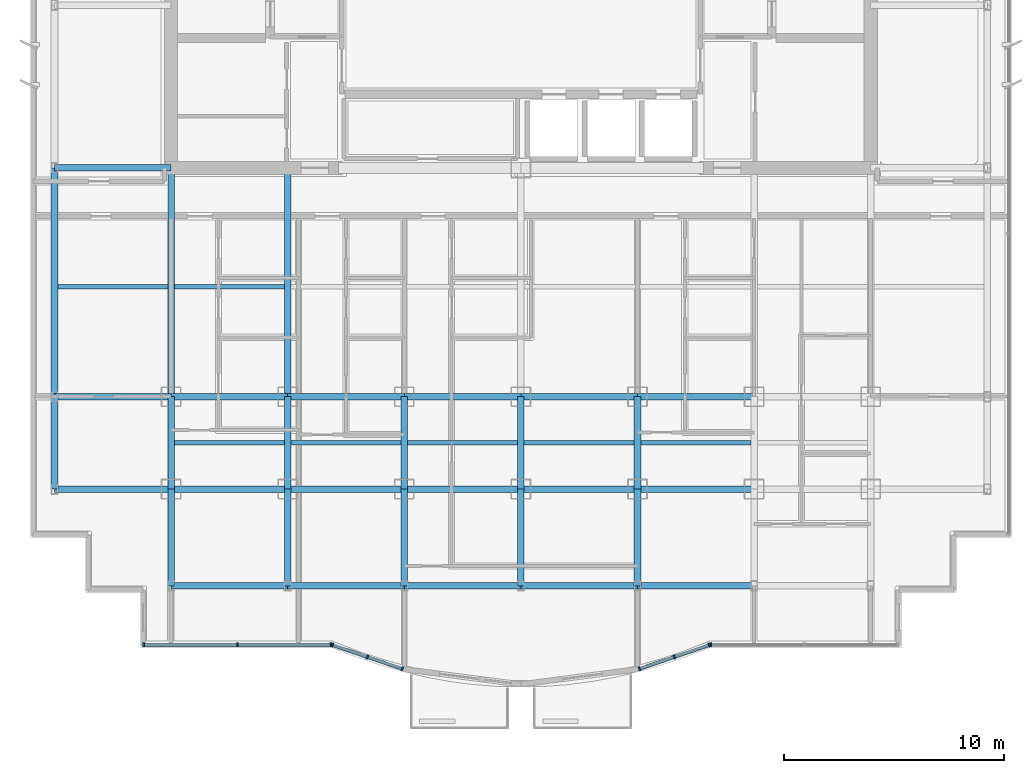
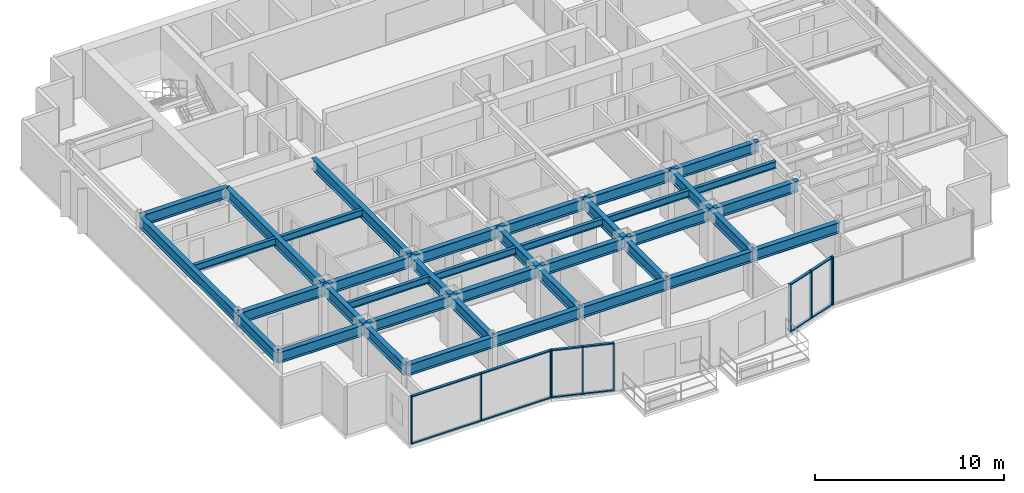
# One storey, part 2 of 13: 39 beams, 22 members, 4 elements without a shape of their own.
"""IFC4 building model written with IfcOpenShell, lengths in metres."""

from ifc_helpers import new_model, si_unit, direction, frame, origin, origin_2d, place, context, subcontext, project, spatial, rectangle, i_section, extrude, source, transform, mapped, material, layer, layer_set, material_profile, profile_set, type_object, element, aggregate, save


model = new_model("IFC4")

# Units and contexts
model_context = context("Model", 3, precision=1e-05, world=origin(), true_north=direction((0.0, 1.0)))
body_context = subcontext(model_context, "Body", "Model", "MODEL_VIEW")
ifc_project = project(units=[si_unit("LENGTHUNIT", "METRE"), si_unit("AREAUNIT", "SQUARE_METRE"), si_unit("VOLUMEUNIT", "CUBIC_METRE"), si_unit("PLANEANGLEUNIT", "RADIAN"), si_unit("MASSUNIT", "GRAM", prefix="KILO")], contexts=[model_context])

# Site, building, storey
site_placement = place(None, origin())
site = spatial("IfcSite", under=ifc_project, at=site_placement, CompositionType="ELEMENT")
building_placement = place(site_placement, origin())
building = spatial("IfcBuilding", under=site, at=building_placement, Name="Qianlan Lanfeng Residences", CompositionType="ELEMENT")
storey_placement = place(building_placement, frame((0.0, 0.0, 142.5)))
storey = spatial("IfcBuildingStorey", under=building, at=storey_placement, Name="L38", CompositionType="ELEMENT", Elevation=142.5)

# Beams
ifc_material_1 = material(Name="Steel SN490B", Category="steel")
ifc_material_profile_1 = material_profile(ifc_material_1, i_section(OverallWidth=0.300048828125, OverallDepth=0.699951171875, WebThickness=0.012939453125, FlangeThickness=0.02392578125, at=origin_2d()), Name="H 700x300x13x24")
ifc_profile_set_1 = profile_set([ifc_material_profile_1], Name="Steel SN490B")
beam_type_1 = type_object("IfcBeamType", Name="G-750", PredefinedType="BEAM", material=ifc_profile_set_1)
beam_1_placement = place(storey_placement, frame((5.300048828125, 10.60009765625, 2.75), z_axis=(1.0, 0.0, 0.0), x_axis=(0.0, 1.0, 0.0)))
element("IfcBeam", 1, at=beam_1_placement, inside=storey, type_object=beam_type_1, Name="Structural beam G-750", PredefinedType="BEAM", context=body_context, shape_type="SweptSolid", body=[
    extrude(i_section(OverallWidth=0.300048828125, OverallDepth=0.699951171875, WebThickness=0.012939453125, FlangeThickness=0.02392578125, at=origin_2d()), origin(), (0.0, 0.0, 1.0), 5.300048828125),
])
beam_2_placement = place(storey_placement, frame((10.60009765625, 10.60009765625, 2.75), z_axis=(1.0, 0.0, 0.0), x_axis=(0.0, 1.0, 0.0)))
element("IfcBeam", 2, at=beam_2_placement, inside=storey, type_object=beam_type_1, Name="Structural beam G-750", PredefinedType="BEAM", context=body_context, shape_type="SweptSolid", body=[
    extrude(i_section(OverallWidth=0.300048828125, OverallDepth=0.699951171875, WebThickness=0.012939453125, FlangeThickness=0.02392578125, at=origin_2d()), origin(), (0.0, 0.0, 1.0), 5.2998046875),
])
for number, where, z_axis, x_axis, name in (
    (3, (15.89990234375, 10.60009765625, 2.75), (1.0, 0.0, 0.0), (0.0, 1.0, 0.0), "Structural beam G-750"),
    (4, (21.199951171875, 10.60009765625, 2.75), (1.0, 0.0, 0.0), (0.0, 1.0, 0.0), "Structural beam G-750"),
    (5, (26.5, 10.60009765625, 2.75), (1.0, 0.0, 0.0), (0.0, 1.0, 0.0), "Structural beam G-750"),
    (6, (31.800048828125, 10.60009765625, 2.75), (1.0, 0.0, 0.0), (0.0, 1.0, 0.0), "Structural beam G-750"),
    (7, (5.300048828125, 14.800048828125, 2.75), (1.0, 0.0, 0.0), (0.0, 1.0, 0.0), "Structural beam G-750"),
):
    element("IfcBeam", number, at=place(storey_placement, frame(where, z_axis=z_axis, x_axis=x_axis)), inside=storey, type_object=beam_type_1, Name=name, PredefinedType="BEAM", context=body_context, shape_type="SweptSolid", body=[
        extrude(i_section(OverallWidth=0.300048828125, OverallDepth=0.699951171875, WebThickness=0.012939453125, FlangeThickness=0.02392578125, at=origin_2d()), origin(), (0.0, 0.0, 1.0), 5.300048828125),
    ])
beam_3_placement = place(storey_placement, frame((10.60009765625, 14.800048828125, 2.75), z_axis=(1.0, 0.0, 0.0), x_axis=(0.0, 1.0, 0.0)))
element("IfcBeam", 8, at=beam_3_placement, inside=storey, type_object=beam_type_1, Name="Structural beam G-750", PredefinedType="BEAM", context=body_context, shape_type="SweptSolid", body=[
    extrude(i_section(OverallWidth=0.300048828125, OverallDepth=0.699951171875, WebThickness=0.012939453125, FlangeThickness=0.02392578125, at=origin_2d()), origin(), (0.0, 0.0, 1.0), 5.2998046875),
])
for number, where, z_axis, x_axis, name in (
    (9, (15.89990234375, 14.800048828125, 2.75), (1.0, 0.0, 0.0), (0.0, 1.0, 0.0), "Structural beam G-750"),
    (10, (21.199951171875, 14.800048828125, 2.75), (1.0, 0.0, 0.0), (0.0, 1.0, 0.0), "Structural beam G-750"),
    (11, (26.5, 14.800048828125, 2.75), (1.0, 0.0, 0.0), (0.0, 1.0, 0.0), "Structural beam G-750"),
    (12, (31.800048828125, 14.800048828125, 2.75), (1.0, 0.0, 0.0), (0.0, 1.0, 0.0), "Structural beam G-750"),
    (13, (5.300048828125, 25.199951171875, 2.75), (1.0, 0.0, 0.0), (0.0, 1.0, 0.0), "Structural beam G-750"),
):
    element("IfcBeam", number, at=place(storey_placement, frame(where, z_axis=z_axis, x_axis=x_axis)), inside=storey, type_object=beam_type_1, Name=name, PredefinedType="BEAM", context=body_context, shape_type="SweptSolid", body=[
        extrude(i_section(OverallWidth=0.300048828125, OverallDepth=0.699951171875, WebThickness=0.012939453125, FlangeThickness=0.02392578125, at=origin_2d()), origin(), (0.0, 0.0, 1.0), 5.300048828125),
    ])
beam_4_placement = place(storey_placement, frame((10.60009765625, 6.199951171875, 2.75), z_axis=(0.0, 1.0, 0.0), x_axis=(-1.0, 0.0, 0.0)))
element("IfcBeam", 14, at=beam_4_placement, inside=storey, type_object=beam_type_1, Name="Structural beam G-750", PredefinedType="BEAM", context=body_context, shape_type="SweptSolid", body=[
    extrude(i_section(OverallWidth=0.300048828125, OverallDepth=0.699951171875, WebThickness=0.012939453125, FlangeThickness=0.02392578125, at=origin_2d()), origin(), (0.0, 0.0, 1.0), 4.400146484375),
])
beam_5_placement = place(storey_placement, frame((10.60009765625, 10.60009765625, 2.75), z_axis=(0.0, 1.0, 0.0), x_axis=(-1.0, 0.0, 0.0)))
element("IfcBeam", 15, at=beam_5_placement, inside=storey, type_object=beam_type_1, Name="Structural beam G-750", PredefinedType="BEAM", context=body_context, shape_type="SweptSolid", body=[
    extrude(i_section(OverallWidth=0.300048828125, OverallDepth=0.699951171875, WebThickness=0.012939453125, FlangeThickness=0.02392578125, at=origin_2d()), origin(), (0.0, 0.0, 1.0), 4.199951171875),
])
beam_6_placement = place(storey_placement, frame((10.60009765625, 14.800048828125, 2.75), z_axis=(0.0, 1.0, 0.0), x_axis=(-1.0, 0.0, 0.0)))
element("IfcBeam", 16, at=beam_6_placement, inside=storey, type_object=beam_type_1, Name="Structural beam G-750", PredefinedType="BEAM", context=body_context, shape_type="SweptSolid", body=[
    extrude(i_section(OverallWidth=0.300048828125, OverallDepth=0.699951171875, WebThickness=0.012939453125, FlangeThickness=0.02392578125, at=origin_2d()), origin(), (0.0, 0.0, 1.0), 10.39990234375),
])
beam_7_placement = place(storey_placement, frame((15.89990234375, 6.199951171875, 2.75), z_axis=(0.0, 1.0, 0.0), x_axis=(-1.0, 0.0, 0.0)))
element("IfcBeam", 17, at=beam_7_placement, inside=storey, type_object=beam_type_1, Name="Structural beam G-750", PredefinedType="BEAM", context=body_context, shape_type="SweptSolid", body=[
    extrude(i_section(OverallWidth=0.300048828125, OverallDepth=0.699951171875, WebThickness=0.012939453125, FlangeThickness=0.02392578125, at=origin_2d()), origin(), (0.0, 0.0, 1.0), 4.400146484375),
])
beam_8_placement = place(storey_placement, frame((15.89990234375, 10.60009765625, 2.75), z_axis=(0.0, 1.0, 0.0), x_axis=(-1.0, 0.0, 0.0)))
element("IfcBeam", 18, at=beam_8_placement, inside=storey, type_object=beam_type_1, Name="Structural beam G-750", PredefinedType="BEAM", context=body_context, shape_type="SweptSolid", body=[
    extrude(i_section(OverallWidth=0.300048828125, OverallDepth=0.699951171875, WebThickness=0.012939453125, FlangeThickness=0.02392578125, at=origin_2d()), origin(), (0.0, 0.0, 1.0), 4.199951171875),
])
beam_9_placement = place(storey_placement, frame((15.89990234375, 14.800048828125, 2.75), z_axis=(0.0, 1.0, 0.0), x_axis=(-1.0, 0.0, 0.0)))
element("IfcBeam", 19, at=beam_9_placement, inside=storey, type_object=beam_type_1, Name="Structural beam G-750", PredefinedType="BEAM", context=body_context, shape_type="SweptSolid", body=[
    extrude(i_section(OverallWidth=0.300048828125, OverallDepth=0.699951171875, WebThickness=0.012939453125, FlangeThickness=0.02392578125, at=origin_2d()), origin(), (0.0, 0.0, 1.0), 10.39990234375),
])
beam_10_placement = place(storey_placement, frame((21.199951171875, 6.199951171875, 2.75), z_axis=(0.0, 1.0, 0.0), x_axis=(-1.0, 0.0, 0.0)))
element("IfcBeam", 20, at=beam_10_placement, inside=storey, type_object=beam_type_1, Name="Structural beam G-750", PredefinedType="BEAM", context=body_context, shape_type="SweptSolid", body=[
    extrude(i_section(OverallWidth=0.300048828125, OverallDepth=0.699951171875, WebThickness=0.012939453125, FlangeThickness=0.02392578125, at=origin_2d()), origin(), (0.0, 0.0, 1.0), 4.400146484375),
])
beam_11_placement = place(storey_placement, frame((21.199951171875, 10.60009765625, 2.75), z_axis=(0.0, 1.0, 0.0), x_axis=(-1.0, 0.0, 0.0)))
element("IfcBeam", 21, at=beam_11_placement, inside=storey, type_object=beam_type_1, Name="Structural beam G-750", PredefinedType="BEAM", context=body_context, shape_type="SweptSolid", body=[
    extrude(i_section(OverallWidth=0.300048828125, OverallDepth=0.699951171875, WebThickness=0.012939453125, FlangeThickness=0.02392578125, at=origin_2d()), origin(), (0.0, 0.0, 1.0), 4.199951171875),
])
beam_12_placement = place(storey_placement, frame((26.5, 6.199951171875, 2.75), z_axis=(0.0, 1.0, 0.0), x_axis=(-1.0, 0.0, 0.0)))
element("IfcBeam", 22, at=beam_12_placement, inside=storey, type_object=beam_type_1, Name="Structural beam G-750", PredefinedType="BEAM", context=body_context, shape_type="SweptSolid", body=[
    extrude(i_section(OverallWidth=0.300048828125, OverallDepth=0.699951171875, WebThickness=0.012939453125, FlangeThickness=0.02392578125, at=origin_2d()), origin(), (0.0, 0.0, 1.0), 4.400146484375),
])
beam_13_placement = place(storey_placement, frame((26.5, 10.60009765625, 2.75), z_axis=(0.0, 1.0, 0.0), x_axis=(-1.0, 0.0, 0.0)))
element("IfcBeam", 23, at=beam_13_placement, inside=storey, type_object=beam_type_1, Name="Structural beam G-750", PredefinedType="BEAM", context=body_context, shape_type="SweptSolid", body=[
    extrude(i_section(OverallWidth=0.300048828125, OverallDepth=0.699951171875, WebThickness=0.012939453125, FlangeThickness=0.02392578125, at=origin_2d()), origin(), (0.0, 0.0, 1.0), 4.199951171875),
])
beam_14_placement = place(storey_placement, frame((31.800048828125, 6.199951171875, 2.75), z_axis=(0.0, 1.0, 0.0), x_axis=(-1.0, 0.0, 0.0)))
element("IfcBeam", 24, at=beam_14_placement, inside=storey, type_object=beam_type_1, Name="Structural beam G-750", PredefinedType="BEAM", context=body_context, shape_type="SweptSolid", body=[
    extrude(i_section(OverallWidth=0.300048828125, OverallDepth=0.699951171875, WebThickness=0.012939453125, FlangeThickness=0.02392578125, at=origin_2d()), origin(), (0.0, 0.0, 1.0), 4.400146484375),
])
beam_15_placement = place(storey_placement, frame((31.800048828125, 10.60009765625, 2.75), z_axis=(0.0, 1.0, 0.0), x_axis=(-1.0, 0.0, 0.0)))
element("IfcBeam", 25, at=beam_15_placement, inside=storey, type_object=beam_type_1, Name="Structural beam G-750", PredefinedType="BEAM", context=body_context, shape_type="SweptSolid", body=[
    extrude(i_section(OverallWidth=0.300048828125, OverallDepth=0.699951171875, WebThickness=0.012939453125, FlangeThickness=0.02392578125, at=origin_2d()), origin(), (0.0, 0.0, 1.0), 4.199951171875),
])
ifc_material_profile_2 = material_profile(ifc_material_1, i_section(OverallWidth=0.199951171875, OverallDepth=0.449951171875, WebThickness=0.009033203125, FlangeThickness=0.013916015625, at=origin_2d()), Name="H 450x200x9x14")
ifc_profile_set_2 = profile_set([ifc_material_profile_2], Name="Steel SN490B")
beam_type_2 = type_object("IfcBeamType", Name="J-450", PredefinedType="JOIST", material=ifc_profile_set_2)
for number, where, z_axis, x_axis, name in (
    (26, (10.75, 12.699951171875, 2.875), (1.0, 0.0, 0.0), (0.0, 1.0, 0.0), "Structural beam J-450"),
    (27, (16.050048828125, 12.699951171875, 2.875), (1.0, 0.0, 0.0), (0.0, 1.0, 0.0), "Structural beam J-450"),
    (28, (21.35009765625, 12.699951171875, 2.875), (1.0, 0.0, 0.0), (0.0, 1.0, 0.0), "Structural beam J-450"),
    (29, (26.64990234375, 12.699951171875, 2.875), (1.0, 0.0, 0.0), (0.0, 1.0, 0.0), "Structural beam J-450"),
    (30, (31.949951171875, 12.699951171875, 2.875), (1.0, 0.0, 0.0), (0.0, 1.0, 0.0), "Structural beam J-450"),
    (31, (5.449951171875, 19.800048828125, 2.875), (1.0, 0.0, 0.0), (0.0, 1.0, 0.0), "Structural beam J-450"),
    (32, (10.75, 19.800048828125, 2.875), (1.0, 0.0, 0.0), (0.0, 1.0, 0.0), "Structural beam J-450"),
):
    element("IfcBeam", number, at=place(storey_placement, frame(where, z_axis=z_axis, x_axis=x_axis)), inside=storey, type_object=beam_type_2, Name=name, PredefinedType="JOIST", context=body_context, shape_type="SweptSolid", body=[
        extrude(i_section(OverallWidth=0.199951171875, OverallDepth=0.449951171875, WebThickness=0.009033203125, FlangeThickness=0.013916015625, at=origin_2d()), origin(), (0.0, 0.0, 1.0), 5.0),
    ])
ifc_material_profile_3 = material_profile(ifc_material_1, i_section(OverallWidth=0.300048828125, OverallDepth=0.699951171875, WebThickness=0.012939453125, FlangeThickness=0.02392578125, at=origin_2d()), Name="H 700x300x13x24")
ifc_profile_set_3 = profile_set([ifc_material_profile_3], Name="Steel SN490B")
beam_type_3 = type_object("IfcBeamType", Name="SG-750", PredefinedType="SPANDREL", material=ifc_profile_set_3)
beam_16_placement = place(storey_placement, frame((10.60009765625, 6.199951171875, 2.739990234375), z_axis=(1.0, 0.0, 0.0), x_axis=(0.0, 1.0, 0.0)))
element("IfcBeam", 33, at=beam_16_placement, inside=storey, type_object=beam_type_3, Name="Structural beam SG-750", PredefinedType="SPANDREL", context=body_context, shape_type="SweptSolid", body=[
    extrude(i_section(OverallWidth=0.300048828125, OverallDepth=0.699951171875, WebThickness=0.012939453125, FlangeThickness=0.02392578125, at=origin_2d()), origin(), (0.0, 0.0, 1.0), 5.2998046875),
])
for number, where, z_axis, x_axis, name in (
    (34, (15.89990234375, 6.199951171875, 2.739990234375), (1.0, 0.0, 0.0), (0.0, 1.0, 0.0), "Structural beam SG-750"),
    (35, (21.199951171875, 6.199951171875, 2.739990234375), (1.0, 0.0, 0.0), (0.0, 1.0, 0.0), "Structural beam SG-750"),
    (36, (26.5, 6.199951171875, 2.739990234375), (1.0, 0.0, 0.0), (0.0, 1.0, 0.0), "Structural beam SG-750"),
    (37, (31.800048828125, 6.199951171875, 2.739990234375), (1.0, 0.0, 0.0), (0.0, 1.0, 0.0), "Structural beam SG-750"),
):
    element("IfcBeam", number, at=place(storey_placement, frame(where, z_axis=z_axis, x_axis=x_axis)), inside=storey, type_object=beam_type_3, Name=name, PredefinedType="SPANDREL", context=body_context, shape_type="SweptSolid", body=[
        extrude(i_section(OverallWidth=0.300048828125, OverallDepth=0.699951171875, WebThickness=0.012939453125, FlangeThickness=0.02392578125, at=origin_2d()), origin(), (0.0, 0.0, 1.0), 5.300048828125),
    ])
beam_17_placement = place(storey_placement, frame((5.300048828125, 10.60009765625, 2.739990234375), z_axis=(0.0, 1.0, 0.0), x_axis=(-1.0, 0.0, 0.0)))
element("IfcBeam", 38, at=beam_17_placement, inside=storey, type_object=beam_type_3, Name="Structural beam SG-750", PredefinedType="SPANDREL", context=body_context, shape_type="SweptSolid", body=[
    extrude(i_section(OverallWidth=0.300048828125, OverallDepth=0.699951171875, WebThickness=0.012939453125, FlangeThickness=0.02392578125, at=origin_2d()), origin(), (0.0, 0.0, 1.0), 4.199951171875),
])
beam_18_placement = place(storey_placement, frame((5.300048828125, 14.800048828125, 2.739990234375), z_axis=(0.0, 1.0, 0.0), x_axis=(-1.0, 0.0, 0.0)))
element("IfcBeam", 39, at=beam_18_placement, inside=storey, type_object=beam_type_3, Name="Structural beam SG-750", PredefinedType="SPANDREL", context=body_context, shape_type="SweptSolid", body=[
    extrude(i_section(OverallWidth=0.300048828125, OverallDepth=0.699951171875, WebThickness=0.012939453125, FlangeThickness=0.02392578125, at=origin_2d()), origin(), (0.0, 0.0, 1.0), 10.39990234375),
])

# Curtain wall, members
ifc_material_2 = material(Name="Anodised Bronze Aluminium 6063-T6", Category="aluminium")
ifc_layer = layer(ifc_material_2, 0.219970703125)
ifc_layer_set = layer_set([ifc_layer], Name="Anodised Bronze Aluminium 6063-T6")
curtain_wall_type = type_object("IfcCurtainWallType", Name="CW-04", PredefinedType="NOTDEFINED", material=ifc_layer_set)
curtain_wall_1_placement = place(storey_placement, origin())
curtain_wall_1 = element("IfcCurtainWall", 40, at=curtain_wall_1_placement, inside=storey, type_object=curtain_wall_type, Name="L38 Unitised Curtain Wall CWR-L38-01 (CW-04)", PredefinedType="NOTDEFINED")
ifc_material_profile_4 = material_profile(ifc_material_2, rectangle(XDim=0.074951171875, YDim=0.14990234375, at=origin_2d()), Name="ALU TRANSOM 75x150")
ifc_profile_set_4 = profile_set([ifc_material_profile_4], Name="Anodised Bronze Aluminium 6063-T6")
member_type_1 = type_object("IfcMemberType", Name="CWT-150", PredefinedType="USERDEFINED", material=ifc_profile_set_4)
shared_shape_1 = source(origin(), body_context, "Body", "SweptSolid", [
    extrude(rectangle(XDim=0.074951171875, YDim=0.14990234375, at=origin_2d()), origin(), (0.0, 0.0, 1.0), 4.178955078125),
])
member_1_placement = place(storey_placement, frame((9.39501953125, 3.52001953125, 0.03759765625), z_axis=(1.0, 0.0, 0.0), x_axis=(0.0, 0.0, 1.0)))
member_1 = element("IfcMember", 41, at=member_1_placement, type_object=member_type_1, Name="CWR-L38-01 Transom 1-BOT", ObjectType="TRANSOM", PredefinedType="USERDEFINED", context=body_context, shape_type="MappedRepresentation", body=[
    mapped(shared_shape_1, transform((0.0, 0.0, 0.0), scale=1.0)),
])
member_2_placement = place(storey_placement, frame((9.39501953125, 3.52001953125, 3.0625), z_axis=(1.0, 0.0, 0.0), x_axis=(0.0, 0.0, 1.0)))
member_2 = element("IfcMember", 42, at=member_2_placement, type_object=member_type_1, Name="CWR-L38-01 Transom 1-TOP", ObjectType="TRANSOM", PredefinedType="USERDEFINED", context=body_context, shape_type="MappedRepresentation", body=[
    mapped(shared_shape_1, transform((0.0, 0.0, 0.0), scale=1.0)),
])
member_3_placement = place(storey_placement, frame((13.64892578125, 3.52001953125, 0.03759765625), z_axis=(1.0, 0.0, 0.0), x_axis=(0.0, 0.0, 1.0)))
member_3 = element("IfcMember", 43, at=member_3_placement, type_object=member_type_1, Name="CWR-L38-01 Transom 2-BOT", ObjectType="TRANSOM", PredefinedType="USERDEFINED", context=body_context, shape_type="MappedRepresentation", body=[
    mapped(shared_shape_1, transform((0.0, 0.0, 0.0), scale=1.0)),
])
member_4_placement = place(storey_placement, frame((13.64892578125, 3.52001953125, 3.0625), z_axis=(1.0, 0.0, 0.0), x_axis=(0.0, 0.0, 1.0)))
member_4 = element("IfcMember", 44, at=member_4_placement, type_object=member_type_1, Name="CWR-L38-01 Transom 2-TOP", ObjectType="TRANSOM", PredefinedType="USERDEFINED", context=body_context, shape_type="MappedRepresentation", body=[
    mapped(shared_shape_1, transform((0.0, 0.0, 0.0), scale=1.0)),
])

curtain_wall_2_placement = place(storey_placement, origin())
curtain_wall_2 = element("IfcCurtainWall", 45, at=curtain_wall_2_placement, inside=storey, type_object=curtain_wall_type, Name="L38 Unitised Curtain Wall CWR-L38-02 (CW-04)", PredefinedType="NOTDEFINED")
shared_shape_2 = source(origin(), body_context, "Body", "SweptSolid", [
    extrude(rectangle(XDim=0.074951171875, YDim=0.14990234375, at=origin_2d()), origin(), (0.0, 0.0, 1.0), 1.597900390625),
])
member_5_placement = place(storey_placement, frame((17.97412109375, 3.495849609375, 0.03759765625), z_axis=(0.946818368584, -0.321768514481, 0.0), x_axis=(0.0, 0.0, 1.0)))
member_5 = element("IfcMember", 46, at=member_5_placement, type_object=member_type_1, Name="CWR-L38-02 Transom 1-BOT", ObjectType="TRANSOM", PredefinedType="USERDEFINED", context=body_context, shape_type="MappedRepresentation", body=[
    mapped(shared_shape_2, transform((0.0, 0.0, 0.0), scale=1.0)),
])
member_6_placement = place(storey_placement, frame((17.97412109375, 3.495849609375, 3.0625), z_axis=(0.946818368584, -0.321768514481, 0.0), x_axis=(0.0, 0.0, 1.0)))
member_6 = element("IfcMember", 47, at=member_6_placement, type_object=member_type_1, Name="CWR-L38-02 Transom 1-TOP", ObjectType="TRANSOM", PredefinedType="USERDEFINED", context=body_context, shape_type="MappedRepresentation", body=[
    mapped(shared_shape_2, transform((0.0, 0.0, 0.0), scale=1.0)),
])
member_7_placement = place(storey_placement, frame((19.55810546875, 2.95751953125, 0.03759765625), z_axis=(0.94677181357, -0.321905472195, 0.0), x_axis=(0.0, 0.0, 1.0)))
member_7 = element("IfcMember", 48, at=member_7_placement, type_object=member_type_1, Name="CWR-L38-02 Transom 2-BOT", ObjectType="TRANSOM", PredefinedType="USERDEFINED", context=body_context, shape_type="MappedRepresentation", body=[
    mapped(shared_shape_2, transform((0.0, 0.0, 0.0), scale=1.0)),
])
member_8_placement = place(storey_placement, frame((19.55810546875, 2.95751953125, 3.0625), z_axis=(0.94677181357, -0.321905472195, 0.0), x_axis=(0.0, 0.0, 1.0)))
member_8 = element("IfcMember", 49, at=member_8_placement, type_object=member_type_1, Name="CWR-L38-02 Transom 2-TOP", ObjectType="TRANSOM", PredefinedType="USERDEFINED", context=body_context, shape_type="MappedRepresentation", body=[
    mapped(shared_shape_2, transform((0.0, 0.0, 0.0), scale=1.0)),
])

# Member
ifc_material_profile_5 = material_profile(ifc_material_2, rectangle(XDim=0.074951171875, YDim=0.179931640625, at=origin_2d()), Name="ALU MULLION 75x180")
ifc_profile_set_5 = profile_set([ifc_material_profile_5], Name="Anodised Bronze Aluminium 6063-T6")
member_type_2 = type_object("IfcMemberType", Name="CWM-180", PredefinedType="MULLION", material=ifc_profile_set_5)
shared_shape_3 = source(origin(), body_context, "Body", "SweptSolid", [
    extrude(rectangle(XDim=0.074951171875, YDim=0.179931640625, at=origin_2d()), origin(), (0.0, 0.0, 1.0), 3.10009765625),
])
member_9_placement = place(storey_placement, frame((9.357421875, 3.52001953125, 0.0), z_axis=(0.0, 0.0, 1.0), x_axis=(1.0, 0.0, 0.0)))
member_9 = element("IfcMember", 50, at=member_9_placement, type_object=member_type_2, Name="CWR-L38-01 Mullion 1", PredefinedType="MULLION", context=body_context, shape_type="MappedRepresentation", body=[
    mapped(shared_shape_3, transform((0.0, 0.0, 0.0), scale=1.0)),
])

member_10_placement = place(storey_placement, frame((13.611572265625, 3.52001953125, 0.0), z_axis=(0.0, 0.0, 1.0), x_axis=(1.0, 0.0, 0.0)))
member_10 = element("IfcMember", 51, at=member_10_placement, type_object=member_type_2, Name="CWR-L38-01 Mullion 2", PredefinedType="MULLION", context=body_context, shape_type="MappedRepresentation", body=[
    mapped(shared_shape_3, transform((0.0, 0.0, 0.0), scale=1.0)),
])

member_11_placement = place(storey_placement, frame((17.865478515625, 3.52001953125, 0.0), z_axis=(0.0, 0.0, 1.0), x_axis=(1.0, 0.0, 0.0)))
member_11 = element("IfcMember", 52, at=member_11_placement, type_object=member_type_2, Name="CWR-L38-01 Mullion 3", PredefinedType="MULLION", context=body_context, shape_type="MappedRepresentation", body=[
    mapped(shared_shape_3, transform((0.0, 0.0, 0.0), scale=1.0)),
])

aggregate(curtain_wall_1, [member_9, member_10, member_11, member_1, member_2, member_3, member_4])

member_12_placement = place(storey_placement, frame((17.9384765625, 3.5078125, 0.0), z_axis=(0.0, 0.0, 1.0), x_axis=(0.946795963885, -0.321834433787, 0.0)))
member_12 = element("IfcMember", 53, at=member_12_placement, type_object=member_type_2, Name="CWR-L38-02 Mullion 1", PredefinedType="MULLION", context=body_context, shape_type="MappedRepresentation", body=[
    mapped(shared_shape_3, transform((0.0, 0.0, 0.0), scale=1.0)),
])

member_13_placement = place(storey_placement, frame((19.5224609375, 2.969482421875, 0.0), z_axis=(0.0, 0.0, 1.0), x_axis=(0.946795963885, -0.321834433787, 0.0)))
member_13 = element("IfcMember", 54, at=member_13_placement, type_object=member_type_2, Name="CWR-L38-02 Mullion 2", PredefinedType="MULLION", context=body_context, shape_type="MappedRepresentation", body=[
    mapped(shared_shape_3, transform((0.0, 0.0, 0.0), scale=1.0)),
])

member_14_placement = place(storey_placement, frame((21.1064453125, 2.43115234375, 0.0), z_axis=(0.0, 0.0, 1.0), x_axis=(0.946795963885, -0.321834433787, 0.0)))
member_14 = element("IfcMember", 55, at=member_14_placement, type_object=member_type_2, Name="CWR-L38-02 Mullion 3", PredefinedType="MULLION", context=body_context, shape_type="MappedRepresentation", body=[
    mapped(shared_shape_3, transform((0.0, 0.0, 0.0), scale=1.0)),
])

aggregate(curtain_wall_2, [member_12, member_13, member_14, member_5, member_6, member_7, member_8])

# Curtain wall, members
curtain_wall_3_placement = place(storey_placement, origin())
curtain_wall_3 = element("IfcCurtainWall", 56, at=curtain_wall_3_placement, inside=storey, type_object=curtain_wall_type, Name="L38 Unitised Curtain Wall CWR-L38-03 (CW-04)", PredefinedType="NOTDEFINED")
member_15_placement = place(storey_placement, frame((31.892578125, 2.43115234375, 0.0), z_axis=(0.0, 0.0, 1.0), x_axis=(0.946826291861, 0.32174519894, 0.0)))
member_15 = element("IfcMember", 57, at=member_15_placement, type_object=member_type_2, Name="CWR-L38-03 Mullion 1", PredefinedType="MULLION", context=body_context, shape_type="MappedRepresentation", body=[
    mapped(shared_shape_3, transform((0.0, 0.0, 0.0), scale=1.0)),
])
member_16_placement = place(storey_placement, frame((33.47705078125, 2.969482421875, 0.0), z_axis=(0.0, 0.0, 1.0), x_axis=(0.946826291861, 0.32174519894, 0.0)))
member_16 = element("IfcMember", 58, at=member_16_placement, type_object=member_type_2, Name="CWR-L38-03 Mullion 2", PredefinedType="MULLION", context=body_context, shape_type="MappedRepresentation", body=[
    mapped(shared_shape_3, transform((0.0, 0.0, 0.0), scale=1.0)),
])
member_17_placement = place(storey_placement, frame((35.0615234375, 3.5078125, 0.0), z_axis=(0.0, 0.0, 1.0), x_axis=(0.946826291861, 0.32174519894, 0.0)))
member_17 = element("IfcMember", 59, at=member_17_placement, type_object=member_type_2, Name="CWR-L38-03 Mullion 3", PredefinedType="MULLION", context=body_context, shape_type="MappedRepresentation", body=[
    mapped(shared_shape_3, transform((0.0, 0.0, 0.0), scale=1.0)),
])

# Curtain wall, member
curtain_wall_4_placement = place(storey_placement, origin())
curtain_wall_4 = element("IfcCurtainWall", 60, at=curtain_wall_4_placement, inside=storey, type_object=curtain_wall_type, Name="L38 Unitised Curtain Wall CWR-L38-04 (CW-04)", PredefinedType="NOTDEFINED")
member_18_placement = place(storey_placement, frame((35.134521484375, 3.52001953125, 0.0), z_axis=(0.0, 0.0, 1.0), x_axis=(1.0, 0.0, 0.0)))
member_18 = element("IfcMember", 61, at=member_18_placement, type_object=member_type_2, Name="CWR-L38-04 Mullion 1", PredefinedType="MULLION", context=body_context, shape_type="MappedRepresentation", body=[
    mapped(shared_shape_3, transform((0.0, 0.0, 0.0), scale=1.0)),
])
aggregate(curtain_wall_4, [member_18])

# Member
shared_shape_4 = source(origin(), body_context, "Body", "SweptSolid", [
    extrude(rectangle(XDim=0.074951171875, YDim=0.14990234375, at=origin_2d()), origin(), (0.0, 0.0, 1.0), 1.598388671875),
])
member_19_placement = place(storey_placement, frame((31.927978515625, 2.443115234375, 0.03759765625), z_axis=(0.946803462724, 0.321812372312, 0.0), x_axis=(0.0, 0.0, 1.0)))
member_19 = element("IfcMember", 62, at=member_19_placement, type_object=member_type_1, Name="CWR-L38-03 Transom 1-BOT", ObjectType="TRANSOM", PredefinedType="USERDEFINED", context=body_context, shape_type="MappedRepresentation", body=[
    mapped(shared_shape_4, transform((0.0, 0.0, 0.0), scale=1.0)),
])

member_20_placement = place(storey_placement, frame((31.927978515625, 2.443115234375, 3.0625), z_axis=(0.946803462724, 0.321812372312, 0.0), x_axis=(0.0, 0.0, 1.0)))
member_20 = element("IfcMember", 63, at=member_20_placement, type_object=member_type_1, Name="CWR-L38-03 Transom 1-TOP", ObjectType="TRANSOM", PredefinedType="USERDEFINED", context=body_context, shape_type="MappedRepresentation", body=[
    mapped(shared_shape_4, transform((0.0, 0.0, 0.0), scale=1.0)),
])

member_21_placement = place(storey_placement, frame((33.512451171875, 2.981689453125, 0.03759765625), z_axis=(0.946849992367, 0.32167544506, 0.0), x_axis=(0.0, 0.0, 1.0)))
member_21 = element("IfcMember", 64, at=member_21_placement, type_object=member_type_1, Name="CWR-L38-03 Transom 2-BOT", ObjectType="TRANSOM", PredefinedType="USERDEFINED", context=body_context, shape_type="MappedRepresentation", body=[
    mapped(shared_shape_4, transform((0.0, 0.0, 0.0), scale=1.0)),
])

member_22_placement = place(storey_placement, frame((33.512451171875, 2.981689453125, 3.0625), z_axis=(0.946849992367, 0.32167544506, 0.0), x_axis=(0.0, 0.0, 1.0)))
member_22 = element("IfcMember", 65, at=member_22_placement, type_object=member_type_1, Name="CWR-L38-03 Transom 2-TOP", ObjectType="TRANSOM", PredefinedType="USERDEFINED", context=body_context, shape_type="MappedRepresentation", body=[
    mapped(shared_shape_4, transform((0.0, 0.0, 0.0), scale=1.0)),
])

aggregate(curtain_wall_3, [member_15, member_16, member_17, member_19, member_20, member_21, member_22])

save(model, "model.ifc")
